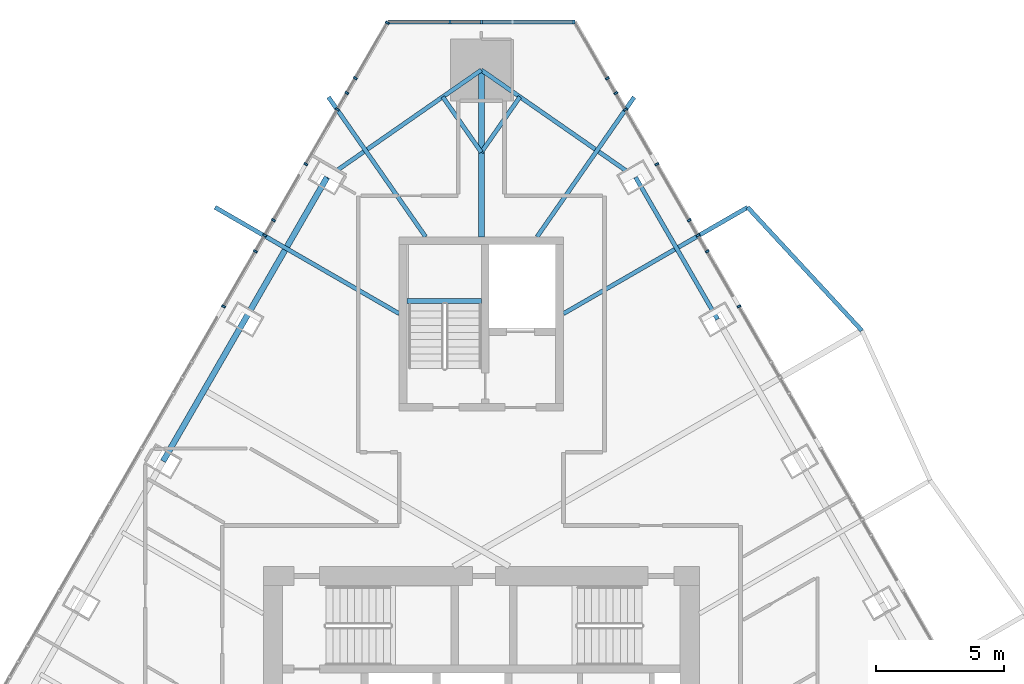
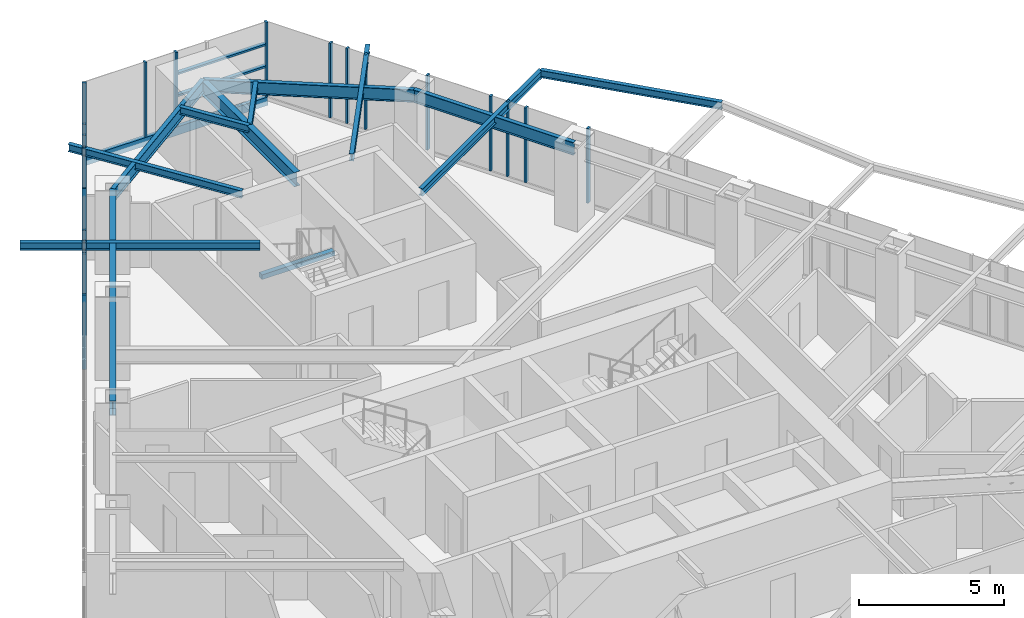
# One storey, part 12 of 26: 23 members, 13 beams, 3 elements without a shape of their own.
"""IFC4 building model written with IfcOpenShell, lengths in metres."""

from ifc_helpers import new_model, si_unit, direction, frame, origin, origin_2d, place, context, subcontext, project, spatial, rectangle, i_section, extrude, material, layer, layer_set, material_profile, profile_set, type_object, element, aggregate, save


model = new_model("IFC4")

# Units and contexts
model_context = context("Model", 3, precision=1e-05, world=origin(), true_north=direction((0.0, 1.0)))
body_context = subcontext(model_context, "Body", "Model", "MODEL_VIEW")
ifc_project = project(units=[si_unit("LENGTHUNIT", "METRE"), si_unit("AREAUNIT", "SQUARE_METRE"), si_unit("VOLUMEUNIT", "CUBIC_METRE"), si_unit("PLANEANGLEUNIT", "RADIAN"), si_unit("MASSUNIT", "GRAM", prefix="KILO")], contexts=[model_context])

# Site, building, storey
site_placement = place(None, origin())
site = spatial("IfcSite", under=ifc_project, at=site_placement, CompositionType="ELEMENT")
building_placement = place(site_placement, origin())
building = spatial("IfcBuilding", under=site, at=building_placement, Name="Firuza Gate Tower and Library", CompositionType="ELEMENT")
storey_placement = place(building_placement, frame((0.0, 0.0, 288.10009765625)))
storey = spatial("IfcBuildingStorey", under=building, at=storey_placement, Name="L69", CompositionType="ELEMENT", Elevation=288.10009765625)

# Curtain wall, members
ifc_material_1 = material(Name="Aluminium 6063-T6", Category="aluminium")
ifc_layer_1 = layer(ifc_material_1, 0.14990234375)
ifc_layer_set_1 = layer_set([ifc_layer_1], Name="Unitised curtain wall, residences")
curtain_wall_type_1 = type_object("IfcCurtainWallType", Name="Unitised curtain wall, residences", PredefinedType="NOTDEFINED", material=ifc_layer_set_1)
placement = place(storey_placement, origin())
curtain_wall_1 = element("IfcCurtainWall", 1, at=placement, inside=storey, type_object=curtain_wall_type_1, Name="CW3 L69 E face", PredefinedType="NOTDEFINED")
ifc_material_2 = material(Name="Aluminium 6063-T6", Category="aluminium")
ifc_material_profile_1 = material_profile(ifc_material_2, rectangle(XDim=0.14990234375, YDim=0.080078125, at=origin_2d()))
ifc_profile_set_1 = profile_set([ifc_material_profile_1], Name="Aluminium 6063-T6")
member_type_1 = type_object("IfcMemberType", Name="Curtain wall mullion 80x150", PredefinedType="MULLION", material=ifc_profile_set_1)
member_1_placement = place(storey_placement, frame((85.044921875, 91.887451171875, 0.14990234375), z_axis=(0.0, 0.0, 1.0), x_axis=(-0.866025403784, -0.5, 0.0)))
member_1 = element("IfcMember", 2, at=member_1_placement, type_object=member_type_1, Name="Mullion", PredefinedType="MULLION", context=body_context, shape_type="SweptSolid", body=[
    extrude(rectangle(XDim=0.14990234375, YDim=0.080078125, at=origin_2d()), origin(), (0.0, 0.0, 1.0), 3.14990234375),
])
member_2_placement = place(storey_placement, frame((83.444580078125, 94.65966796875, 0.14990234375), z_axis=(0.0, 0.0, 1.0), x_axis=(-0.866025403784, -0.5, 0.0)))
member_2 = element("IfcMember", 3, at=member_2_placement, type_object=member_type_1, Name="Mullion", PredefinedType="MULLION", context=body_context, shape_type="SweptSolid", body=[
    extrude(rectangle(XDim=0.14990234375, YDim=0.080078125, at=origin_2d()), origin(), (0.0, 0.0, 1.0), 3.14990234375),
])
member_3_placement = place(storey_placement, frame((81.84423828125, 97.431640625, 0.14990234375), z_axis=(0.0, 0.0, 1.0), x_axis=(-0.866025403784, -0.5, 0.0)))
member_3 = element("IfcMember", 4, at=member_3_placement, type_object=member_type_1, Name="Mullion", PredefinedType="MULLION", context=body_context, shape_type="SweptSolid", body=[
    extrude(rectangle(XDim=0.14990234375, YDim=0.080078125, at=origin_2d()), origin(), (0.0, 0.0, 1.0), 3.14990234375),
])
member_4_placement = place(storey_placement, frame((80.24365234375, 100.20361328125, 0.14990234375), z_axis=(0.0, 0.0, 1.0), x_axis=(-0.866025403784, -0.5, 0.0)))
member_4 = element("IfcMember", 5, at=member_4_placement, type_object=member_type_1, Name="Mullion", PredefinedType="MULLION", context=body_context, shape_type="SweptSolid", body=[
    extrude(rectangle(XDim=0.14990234375, YDim=0.080078125, at=origin_2d()), origin(), (0.0, 0.0, 1.0), 3.14990234375),
])
member_5_placement = place(storey_placement, frame((83.8076171875, 94.03076171875, 0.14990234375), z_axis=(0.0, 0.0, 1.0), x_axis=(-0.866025403784, -0.5, 0.0)))
member_5 = element("IfcMember", 6, at=member_5_placement, type_object=member_type_1, Name="Mullion", PredefinedType="MULLION", context=body_context, shape_type="SweptSolid", body=[
    extrude(rectangle(XDim=0.14990234375, YDim=0.080078125, at=origin_2d()), origin(), (0.0, 0.0, 1.0), 3.14990234375),
])
member_6_placement = place(storey_placement, frame((83.106201171875, 95.24560546875, 0.14990234375), z_axis=(0.0, 0.0, 1.0), x_axis=(-0.866025403784, -0.5, 0.0)))
member_6 = element("IfcMember", 7, at=member_6_placement, type_object=member_type_1, Name="Mullion", PredefinedType="MULLION", context=body_context, shape_type="SweptSolid", body=[
    extrude(rectangle(XDim=0.14990234375, YDim=0.080078125, at=origin_2d()), origin(), (0.0, 0.0, 1.0), 3.14990234375),
])
member_7_placement = place(storey_placement, frame((80.613037109375, 99.56396484375, 0.14990234375), z_axis=(0.0, 0.0, 1.0), x_axis=(-0.866025403784, -0.5, 0.0)))
member_7 = element("IfcMember", 8, at=member_7_placement, type_object=member_type_1, Name="Mullion", PredefinedType="MULLION", context=body_context, shape_type="SweptSolid", body=[
    extrude(rectangle(XDim=0.14990234375, YDim=0.080078125, at=origin_2d()), origin(), (0.0, 0.0, 1.0), 3.14990234375),
])
member_8_placement = place(storey_placement, frame((79.91162109375, 100.779052734375, 0.14990234375), z_axis=(0.0, 0.0, 1.0), x_axis=(-0.866025403784, -0.5, 0.0)))
member_8 = element("IfcMember", 9, at=member_8_placement, type_object=member_type_1, Name="Mullion", PredefinedType="MULLION", context=body_context, shape_type="SweptSolid", body=[
    extrude(rectangle(XDim=0.14990234375, YDim=0.080078125, at=origin_2d()), origin(), (0.0, 0.0, 1.0), 3.14990234375),
])
aggregate(curtain_wall_1, [member_1, member_2, member_3, member_4, member_5, member_6, member_7, member_8])

ifc_material_3 = material(Name="Aluminium 6063-T6", Category="aluminium")
ifc_layer_2 = layer(ifc_material_3, 0.14990234375)
ifc_layer_set_2 = layer_set([ifc_layer_2], Name="Corner curtain wall, chamfers")
curtain_wall_type_2 = type_object("IfcCurtainWallType", Name="Corner curtain wall, chamfers", PredefinedType="NOTDEFINED", material=ifc_layer_set_2)
curtain_wall_2 = element("IfcCurtainWall", 10, at=placement, inside=storey, type_object=curtain_wall_type_2, Name="CW4 L69 N corner", PredefinedType="NOTDEFINED")
member_9_placement = place(storey_placement, frame((78.603271484375, 102.9755859375, 0.14990234375), z_axis=(0.0, 0.0, 1.0), x_axis=(0.0, -1.0, 0.0)))
member_9 = element("IfcMember", 11, at=member_9_placement, type_object=member_type_1, Name="Mullion", PredefinedType="MULLION", context=body_context, shape_type="SweptSolid", body=[
    extrude(rectangle(XDim=0.14990234375, YDim=0.080078125, at=origin_2d()), origin(), (0.0, 0.0, 1.0), 3.14990234375),
])
member_10_placement = place(storey_placement, frame((75.0, 102.9755859375, 0.14990234375), z_axis=(0.0, 0.0, 1.0), x_axis=(0.0, -1.0, 0.0)))
member_10 = element("IfcMember", 12, at=member_10_placement, type_object=member_type_1, Name="Mullion", PredefinedType="MULLION", context=body_context, shape_type="SweptSolid", body=[
    extrude(rectangle(XDim=0.14990234375, YDim=0.080078125, at=origin_2d()), origin(), (0.0, 0.0, 1.0), 3.14990234375),
])
member_11_placement = place(storey_placement, frame((73.77783203125, 102.9755859375, 0.14990234375), z_axis=(0.0, 0.0, 1.0), x_axis=(0.0, -1.0, 0.0)))
member_11 = element("IfcMember", 13, at=member_11_placement, type_object=member_type_1, Name="Mullion", PredefinedType="MULLION", context=body_context, shape_type="SweptSolid", body=[
    extrude(rectangle(XDim=0.14990234375, YDim=0.080078125, at=origin_2d()), origin(), (0.0, 0.0, 1.0), 3.14990234375),
])

curtain_wall_3 = element("IfcCurtainWall", 14, at=placement, inside=storey, type_object=curtain_wall_type_1, Name="CW3 L69 W face", PredefinedType="NOTDEFINED")
member_12_placement = place(storey_placement, frame((71.336669921875, 102.94091796875, 0.14990234375), z_axis=(0.0, 0.0, 1.0), x_axis=(0.866025403784, -0.5, 0.0)))
member_12 = element("IfcMember", 15, at=member_12_placement, type_object=member_type_1, Name="Mullion", PredefinedType="MULLION", context=body_context, shape_type="SweptSolid", body=[
    extrude(rectangle(XDim=0.14990234375, YDim=0.080078125, at=origin_2d()), origin(), (0.0, 0.0, 1.0), 3.14990234375),
])
member_13_placement = place(storey_placement, frame((69.75634765625, 100.20361328125, 0.14990234375), z_axis=(0.0, 0.0, 1.0), x_axis=(0.866025403784, -0.5, 0.0)))
member_13 = element("IfcMember", 16, at=member_13_placement, type_object=member_type_1, Name="Mullion", PredefinedType="MULLION", context=body_context, shape_type="SweptSolid", body=[
    extrude(rectangle(XDim=0.14990234375, YDim=0.080078125, at=origin_2d()), origin(), (0.0, 0.0, 1.0), 3.14990234375),
])
member_14_placement = place(storey_placement, frame((68.15576171875, 97.431640625, 0.14990234375), z_axis=(0.0, 0.0, 1.0), x_axis=(0.866025403784, -0.5, 0.0)))
member_14 = element("IfcMember", 17, at=member_14_placement, type_object=member_type_1, Name="Mullion", PredefinedType="MULLION", context=body_context, shape_type="SweptSolid", body=[
    extrude(rectangle(XDim=0.14990234375, YDim=0.080078125, at=origin_2d()), origin(), (0.0, 0.0, 1.0), 3.14990234375),
])
member_15_placement = place(storey_placement, frame((66.555419921875, 94.65966796875, 0.14990234375), z_axis=(0.0, 0.0, 1.0), x_axis=(0.866025403784, -0.5, 0.0)))
member_15 = element("IfcMember", 18, at=member_15_placement, type_object=member_type_1, Name="Mullion", PredefinedType="MULLION", context=body_context, shape_type="SweptSolid", body=[
    extrude(rectangle(XDim=0.14990234375, YDim=0.080078125, at=origin_2d()), origin(), (0.0, 0.0, 1.0), 3.14990234375),
])
member_16_placement = place(storey_placement, frame((64.955078125, 91.887451171875, 0.14990234375), z_axis=(0.0, 0.0, 1.0), x_axis=(0.866025403784, -0.5, 0.0)))
member_16 = element("IfcMember", 19, at=member_16_placement, type_object=member_type_1, Name="Mullion", PredefinedType="MULLION", context=body_context, shape_type="SweptSolid", body=[
    extrude(rectangle(XDim=0.14990234375, YDim=0.080078125, at=origin_2d()), origin(), (0.0, 0.0, 1.0), 3.14990234375),
])
member_17_placement = place(storey_placement, frame((70.08837890625, 100.779052734375, 0.14990234375), z_axis=(0.0, 0.0, 1.0), x_axis=(0.866025403784, -0.5, 0.0)))
member_17 = element("IfcMember", 20, at=member_17_placement, type_object=member_type_1, Name="Mullion", PredefinedType="MULLION", context=body_context, shape_type="SweptSolid", body=[
    extrude(rectangle(XDim=0.14990234375, YDim=0.080078125, at=origin_2d()), origin(), (0.0, 0.0, 1.0), 3.14990234375),
])
member_18_placement = place(storey_placement, frame((69.386962890625, 99.56396484375, 0.14990234375), z_axis=(0.0, 0.0, 1.0), x_axis=(0.866025403784, -0.5, 0.0)))
member_18 = element("IfcMember", 21, at=member_18_placement, type_object=member_type_1, Name="Mullion", PredefinedType="MULLION", context=body_context, shape_type="SweptSolid", body=[
    extrude(rectangle(XDim=0.14990234375, YDim=0.080078125, at=origin_2d()), origin(), (0.0, 0.0, 1.0), 3.14990234375),
])
member_19_placement = place(storey_placement, frame((66.893798828125, 95.24560546875, 0.14990234375), z_axis=(0.0, 0.0, 1.0), x_axis=(0.866025403784, -0.5, 0.0)))
member_19 = element("IfcMember", 22, at=member_19_placement, type_object=member_type_1, Name="Mullion", PredefinedType="MULLION", context=body_context, shape_type="SweptSolid", body=[
    extrude(rectangle(XDim=0.14990234375, YDim=0.080078125, at=origin_2d()), origin(), (0.0, 0.0, 1.0), 3.14990234375),
])
member_20_placement = place(storey_placement, frame((66.1923828125, 94.03076171875, 0.14990234375), z_axis=(0.0, 0.0, 1.0), x_axis=(0.866025403784, -0.5, 0.0)))
member_20 = element("IfcMember", 23, at=member_20_placement, type_object=member_type_1, Name="Mullion", PredefinedType="MULLION", context=body_context, shape_type="SweptSolid", body=[
    extrude(rectangle(XDim=0.14990234375, YDim=0.080078125, at=origin_2d()), origin(), (0.0, 0.0, 1.0), 3.14990234375),
])
aggregate(curtain_wall_3, [member_12, member_13, member_14, member_15, member_16, member_17, member_18, member_19, member_20])

# Member
ifc_material_4 = material(Name="Aluminium 6063-T6", Category="aluminium")
ifc_material_profile_2 = material_profile(ifc_material_4, rectangle(XDim=0.14990234375, YDim=0.35009765625, at=origin_2d()))
ifc_profile_set_2 = profile_set([ifc_material_profile_2], Name="Aluminium 6063-T6")
member_type_2 = type_object("IfcMemberType", Name="Curtain wall transom 350x150", PredefinedType="USERDEFINED", material=ifc_profile_set_2)
member_21_placement = place(storey_placement, frame((78.643310546875, 102.9755859375, -0.025146484375), z_axis=(-1.0, 0.0, 0.0), x_axis=(0.0, -1.0, 0.0)))
member_21 = element("IfcMember", 24, at=member_21_placement, type_object=member_type_2, Name="Transom", ObjectType="TRANSOM", PredefinedType="USERDEFINED", context=body_context, shape_type="SweptSolid", body=[
    extrude(rectangle(XDim=0.14990234375, YDim=0.35009765625, at=origin_2d()), origin(), (0.0, 0.0, 1.0), 7.28662109375),
])

ifc_material_5 = material(Name="Aluminium 6063-T6", Category="aluminium")
ifc_material_profile_3 = material_profile(ifc_material_5, rectangle(XDim=0.14990234375, YDim=0.080078125, at=origin_2d()))
ifc_profile_set_3 = profile_set([ifc_material_profile_3], Name="Aluminium 6063-T6")
member_type_3 = type_object("IfcMemberType", Name="Curtain wall transom 80x150", PredefinedType="USERDEFINED", material=ifc_profile_set_3)
member_22_placement = place(storey_placement, frame((78.603271484375, 102.9755859375, 1.449951171875), z_axis=(-1.0, 0.0, 0.0), x_axis=(0.0, -1.0, 0.0)))
member_22 = element("IfcMember", 25, at=member_22_placement, type_object=member_type_3, Name="Transom", ObjectType="TRANSOM", PredefinedType="USERDEFINED", context=body_context, shape_type="SweptSolid", body=[
    extrude(rectangle(XDim=0.14990234375, YDim=0.080078125, at=origin_2d()), origin(), (0.0, 0.0, 1.0), 3.563232421875),
])

member_23_placement = place(storey_placement, frame((78.603271484375, 102.9755859375, 2.375), z_axis=(-1.0, 0.0, 0.0), x_axis=(0.0, -1.0, 0.0)))
member_23 = element("IfcMember", 26, at=member_23_placement, type_object=member_type_3, Name="Transom", ObjectType="TRANSOM", PredefinedType="USERDEFINED", context=body_context, shape_type="SweptSolid", body=[
    extrude(rectangle(XDim=0.14990234375, YDim=0.080078125, at=origin_2d()), origin(), (0.0, 0.0, 1.0), 3.563232421875),
])

aggregate(curtain_wall_2, [member_9, member_10, member_21, member_22, member_23, member_11])

# Beams
ifc_material_6 = material(Name="Concrete C35/45", Category="concrete")
ifc_material_profile_4 = material_profile(ifc_material_6, rectangle(XDim=0.199951171875, YDim=0.199951171875, at=origin_2d()))
ifc_profile_set_4 = profile_set([ifc_material_profile_4], Name="Concrete C35/45")
beam_type_1 = type_object("IfcBeamType", Name="Stair landing bearer 200x200", PredefinedType="BEAM", material=ifc_profile_set_4)
beam_1_placement = place(storey_placement, frame((75.0, 92.090087890625, 1.449951171875), z_axis=(-1.0, 0.0, 0.0), x_axis=(0.0, -1.0, 0.0)))
element("IfcBeam", 27, at=beam_1_placement, inside=storey, type_object=beam_type_1, Name="Landing bearer L69 stair 3", PredefinedType="BEAM", context=body_context, shape_type="SweptSolid", body=[
    extrude(rectangle(XDim=0.199951171875, YDim=0.199951171875, at=origin_2d()), origin(), (0.0, 0.0, 1.0), 2.89990234375),
])
ifc_material_7 = material(Name="Steel S355", Category="steel")
ifc_material_profile_5 = material_profile(ifc_material_7, i_section(OverallWidth=0.1650390625, OverallDepth=0.31005859375, WebThickness=0.005859375, FlangeThickness=0.009765625, at=origin_2d()))
ifc_profile_set_5 = profile_set([ifc_material_profile_5], Name="Steel S355")
beam_type_2 = type_object("IfcBeamType", Name="W310x39 Floor beam", PredefinedType="JOIST", material=ifc_profile_set_5)
beam_2_placement = place(storey_placement, frame((85.381103515625, 95.7490234375, 3.14501953125), z_axis=(-0.866027709035, -0.499996007168, 0.0), x_axis=(0.499996007168, -0.866027709035, 0.0)))
element("IfcBeam", 28, at=beam_2_placement, inside=storey, type_object=beam_type_2, Name="Floor beam L69 s54", PredefinedType="JOIST", context=body_context, shape_type="SweptSolid", body=[
    extrude(i_section(OverallWidth=0.1650390625, OverallDepth=0.31005859375, WebThickness=0.005859375, FlangeThickness=0.009765625, at=origin_2d()), origin(), (0.0, 0.0, 1.0), 8.2919921875),
])
beam_3_placement = place(storey_placement, frame((80.95654296875, 100.041015625, 3.14501953125), z_axis=(-0.570957628674, -0.820979528526, 0.0), x_axis=(0.820979528526, -0.570957628674, 0.0)))
element("IfcBeam", 29, at=beam_3_placement, inside=storey, type_object=beam_type_2, Name="Floor beam L69 s60", PredefinedType="JOIST", context=body_context, shape_type="SweptSolid", body=[
    extrude(i_section(OverallWidth=0.1650390625, OverallDepth=0.31005859375, WebThickness=0.005859375, FlangeThickness=0.009765625, at=origin_2d()), origin(), (0.0, 0.0, 1.0), 6.62744140625),
])
for number, where, z_axis, x_axis, name in (
    (30, (76.50390625, 100.054931640625, 3.14501953125), (-0.570977579651, -0.820965653079, 0.0), (0.820965653079, -0.570977579651, 0.0), "Floor beam L69 s61"),
    (31, (73.49609375, 100.054931640625, 3.14501953125), (0.570977579651, -0.820965653079, 0.0), (0.820965653079, 0.570977579651, 0.0), "Floor beam L69 s70"),
):
    element("IfcBeam", number, at=place(storey_placement, frame(where, z_axis=z_axis, x_axis=x_axis)), inside=storey, type_object=beam_type_2, Name=name, PredefinedType="JOIST", context=body_context, shape_type="SweptSolid", body=[
        extrude(i_section(OverallWidth=0.1650390625, OverallDepth=0.31005859375, WebThickness=0.005859375, FlangeThickness=0.009765625, at=origin_2d()), origin(), (0.0, 0.0, 1.0), 2.634033203125),
    ])
beam_4_placement = place(storey_placement, frame((69.04345703125, 100.041015625, 3.14501953125), z_axis=(0.570957628674, -0.820979528526, 0.0), x_axis=(0.820979528526, 0.570957628674, 0.0)))
element("IfcBeam", 32, at=beam_4_placement, inside=storey, type_object=beam_type_2, Name="Floor beam L69 s71", PredefinedType="JOIST", context=body_context, shape_type="SweptSolid", body=[
    extrude(i_section(OverallWidth=0.1650390625, OverallDepth=0.31005859375, WebThickness=0.005859375, FlangeThickness=0.009765625, at=origin_2d()), origin(), (0.0, 0.0, 1.0), 6.62744140625),
])
beam_5_placement = place(storey_placement, frame((64.618896484375, 95.7490234375, 3.14501953125), z_axis=(0.866027709035, -0.499996007168, 0.0), x_axis=(0.499996007168, 0.866027709035, 0.0)))
element("IfcBeam", 33, at=beam_5_placement, inside=storey, type_object=beam_type_2, Name="Floor beam L69 s80", PredefinedType="JOIST", context=body_context, shape_type="SweptSolid", body=[
    extrude(i_section(OverallWidth=0.1650390625, OverallDepth=0.31005859375, WebThickness=0.005859375, FlangeThickness=0.009765625, at=origin_2d()), origin(), (0.0, 0.0, 1.0), 8.2919921875),
])
beam_6_placement = place(storey_placement, frame((89.834228515625, 90.9423828125, 3.14501953125), z_axis=(-0.679616041831, 0.733568017082, 0.0), x_axis=(-0.733568017082, -0.679616041831, 0.0)))
element("IfcBeam", 34, at=beam_6_placement, inside=storey, type_object=beam_type_2, Name="Tray edge beam L69 s53-s54", PredefinedType="JOIST", context=body_context, shape_type="SweptSolid", body=[
    extrude(i_section(OverallWidth=0.1650390625, OverallDepth=0.31005859375, WebThickness=0.005859375, FlangeThickness=0.009765625, at=origin_2d()), origin(), (0.0, 0.0, 1.0), 6.552490234375),
])
ifc_material_8 = material(Name="Steel S355", Category="steel")
ifc_material_profile_6 = material_profile(ifc_material_8, i_section(OverallWidth=0.166015625, OverallDepth=0.534912109375, WebThickness=0.01025390625, FlangeThickness=0.0166015625, at=origin_2d()))
ifc_profile_set_6 = profile_set([ifc_material_profile_6], Name="Steel S355")
beam_type_3 = type_object("IfcBeamType", Name="W530x85 Edge beam", PredefinedType="SPANDREL", material=ifc_profile_set_6)
beam_7_placement = place(storey_placement, frame((84.2099609375, 91.384033203125, 3.032470703125), z_axis=(-0.500026752084, 0.866009957911, 0.0), x_axis=(-0.866009957911, -0.500026752084, 0.0)))
element("IfcBeam", 35, at=beam_7_placement, inside=storey, type_object=beam_type_3, Name="Edge beam L69 e54", PredefinedType="SPANDREL", context=body_context, shape_type="SweptSolid", body=[
    extrude(i_section(OverallWidth=0.166015625, OverallDepth=0.534912109375, WebThickness=0.01025390625, FlangeThickness=0.0166015625, at=origin_2d()), origin(), (0.0, 0.0, 1.0), 6.389404296875),
])
for number, where, z_axis, x_axis, name in (
    (36, (81.01513671875, 96.917236328125, 3.032470703125), (-0.820975149555, 0.570963925141, 0.0), (-0.570963925141, -0.820975149555, 0.0), "Edge beam L69 e60"),
    (37, (75.0, 101.1005859375, 3.032470703125), (-0.820975149555, -0.570963925141, 0.0), (0.570963925141, -0.820975149555, 0.0), "Edge beam L69 e70"),
):
    element("IfcBeam", number, at=place(storey_placement, frame(where, z_axis=z_axis, x_axis=x_axis)), inside=storey, type_object=beam_type_3, Name=name, PredefinedType="SPANDREL", context=body_context, shape_type="SweptSolid", body=[
        extrude(i_section(OverallWidth=0.166015625, OverallDepth=0.534912109375, WebThickness=0.01025390625, FlangeThickness=0.0166015625, at=origin_2d()), origin(), (0.0, 0.0, 1.0), 7.326904296875),
    ])
ifc_material_9 = material(Name="Steel S355", Category="steel")
ifc_material_profile_7 = material_profile(ifc_material_9, i_section(OverallWidth=0.22802734375, OverallDepth=0.60302734375, WebThickness=0.010498046875, FlangeThickness=0.014892578125, at=origin_2d()))
ifc_profile_set_7 = profile_set([ifc_material_profile_7], Name="Steel S355")
beam_type_4 = type_object("IfcBeamType", Name="W610x101 Girder", PredefinedType="BEAM", material=ifc_profile_set_7)
beam_8_placement = place(storey_placement, frame((75.0, 101.1005859375, 2.998291015625), z_axis=(0.0, -1.0, 0.0), x_axis=(1.0, 0.0, 0.0)))
element("IfcBeam", 38, at=beam_8_placement, inside=storey, type_object=beam_type_4, Name="Girder L69 gN", PredefinedType="BEAM", context=body_context, shape_type="SweptSolid", body=[
    extrude(i_section(OverallWidth=0.22802734375, OverallDepth=0.60302734375, WebThickness=0.010498046875, FlangeThickness=0.014892578125, at=origin_2d()), origin(), (0.0, 0.0, 1.0), 6.50048828125),
])
ifc_material_10 = material(Name="Steel S355", Category="steel")
ifc_material_profile_8 = material_profile(ifc_material_10, i_section(OverallWidth=0.22900390625, OverallDepth=0.612060546875, WebThickness=0.011962890625, FlangeThickness=0.01953125, at=origin_2d()))
ifc_profile_set_8 = profile_set([ifc_material_profile_8], Name="Steel S355")
beam_type_5 = type_object("IfcBeamType", Name="W610x125 Edge beam", PredefinedType="SPANDREL", material=ifc_profile_set_8)
beam_9_placement = place(storey_placement, frame((68.98486328125, 96.917236328125, 2.993896484375), z_axis=(-0.500004150346, -0.866023007568, 0.0), x_axis=(0.866023007568, -0.500004150346, 0.0)))
element("IfcBeam", 39, at=beam_9_placement, inside=storey, type_object=beam_type_5, Name="Edge beam L69 e80", PredefinedType="SPANDREL", context=body_context, shape_type="SweptSolid", body=[
    extrude(i_section(OverallWidth=0.22900390625, OverallDepth=0.612060546875, WebThickness=0.011962890625, FlangeThickness=0.01953125, at=origin_2d()), origin(), (0.0, 0.0, 1.0), 12.77880859375),
])

save(model, "model.ifc")
